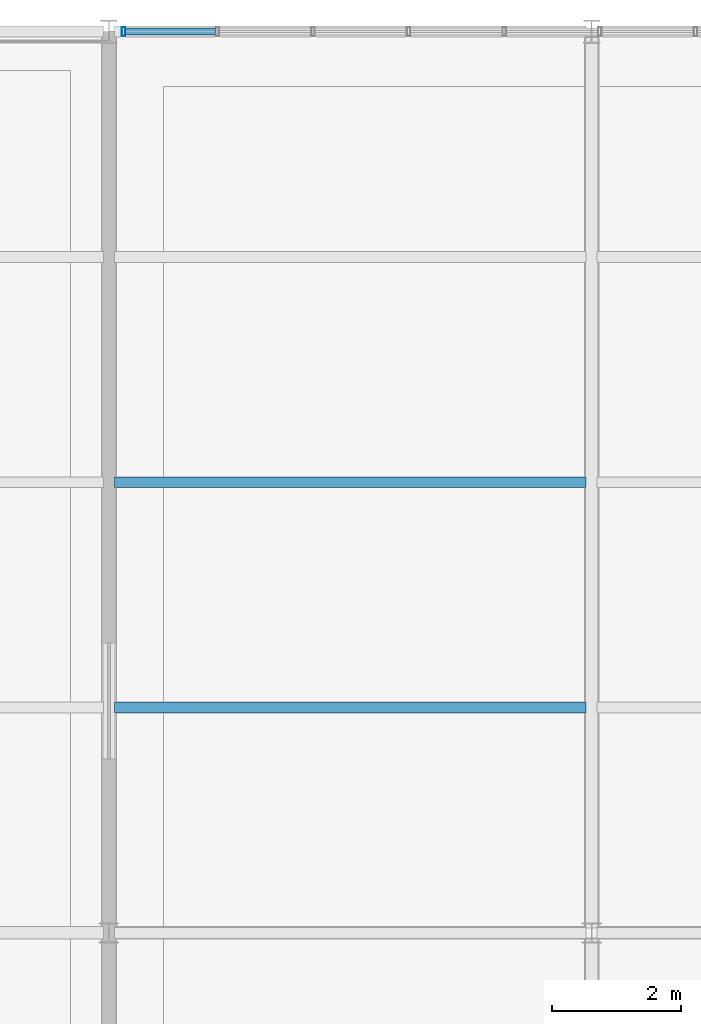
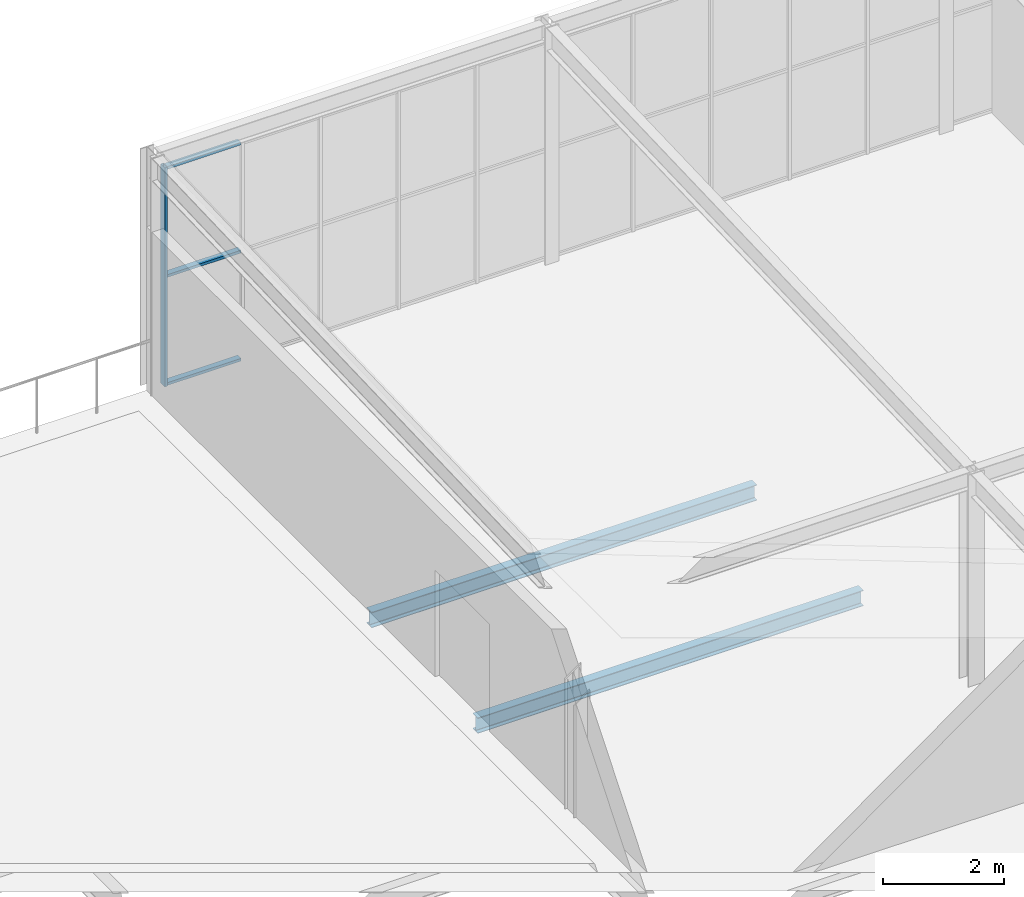
# One storey, part 9 of 27: 4 members, 2 beams, 1 element without a shape of its own.
"""IFC4 building model written with IfcOpenShell, lengths in metres."""

from ifc_helpers import new_model, si_unit, direction, frame, origin, origin_2d, place, context, subcontext, project, spatial, hollow_rectangle, i_section, extrude, material, layer, layer_set, material_profile, profile_set, type_object, element, aggregate, save


model = new_model("IFC4")

# Units and contexts
model_context = context("Model", 3, precision=1e-05, world=origin(), true_north=direction((0.0, 1.0)))
body_context = subcontext(model_context, "Body", "Model", "MODEL_VIEW")
ifc_project = project(units=[si_unit("LENGTHUNIT", "METRE"), si_unit("AREAUNIT", "SQUARE_METRE"), si_unit("VOLUMEUNIT", "CUBIC_METRE"), si_unit("PLANEANGLEUNIT", "RADIAN"), si_unit("MASSUNIT", "GRAM", prefix="KILO")], contexts=[model_context])

# Site, building, storey
site_placement = place(None, origin())
site = spatial("IfcSite", under=ifc_project, at=site_placement, CompositionType="ELEMENT")
building_placement = place(site_placement, origin())
building = spatial("IfcBuilding", under=site, at=building_placement, Name="Solvenia Promenade Tram Depot", CompositionType="ELEMENT")
storey_placement = place(building_placement, frame((0.0, 0.0, 13.5)))
storey = spatial("IfcBuildingStorey", under=building, at=storey_placement, Name="L03", CompositionType="ELEMENT", Elevation=13.5)

# Curtain wall, members
ifc_material_1 = material(Name="Anodized aluminium AW-6063 T6", Category="aluminium")
ifc_layer = layer(ifc_material_1, 0.199951171875, Name="Anodized aluminium AW-6063 T6", Category="aluminium")
ifc_layer_set = layer_set([ifc_layer], Name="Anodized aluminium AW-6063 T6")
curtain_wall_type = type_object("IfcCurtainWallType", Name="CW-OCC-1500", PredefinedType="NOTDEFINED", material=ifc_layer_set)
curtain_wall_placement = place(storey_placement, origin())
curtain_wall = element("IfcCurtainWall", 1, at=curtain_wall_placement, inside=storey, type_object=curtain_wall_type, Name="Curtain Wall CW-L03-V2N", PredefinedType="NOTDEFINED")
ifc_material_profile_1 = material_profile(ifc_material_1, hollow_rectangle(XDim=0.139892578125, YDim=0.054931640625, WallThickness=0.00390625, at=origin_2d()), Name="ALU-M4", Category="aluminium")
ifc_profile_set_1 = profile_set([ifc_material_profile_1], Name="Anodized aluminium AW-6063 T6")
member_type_1 = type_object("IfcMemberType", Name="CWM-Mullion-4", PredefinedType="MULLION", material=ifc_profile_set_1)
member_1_placement = place(storey_placement, frame((120.2275390625, 66.0, 0.0), z_axis=(0.0, 0.0, 1.0), x_axis=(0.0, 1.0, 0.0)))
member_1 = element("IfcMember", 2, at=member_1_placement, type_object=member_type_1, Name="CW-8 mullion 1", PredefinedType="MULLION", context=body_context, shape_type="SweptSolid", body=[
    extrude(hollow_rectangle(XDim=0.139892578125, YDim=0.054931640625, WallThickness=0.00390625, at=origin_2d()), origin(), (0.0, 0.0, 1.0), 4.39990234375),
])
ifc_material_profile_2 = material_profile(ifc_material_1, hollow_rectangle(XDim=0.110107421875, YDim=0.054931640625, WallThickness=0.00390625, at=origin_2d()), Name="ALU-T4", Category="aluminium")
ifc_profile_set_2 = profile_set([ifc_material_profile_2], Name="Anodized aluminium AW-6063 T6")
member_type_2 = type_object("IfcMemberType", Name="CWT-Transom-4", PredefinedType="USERDEFINED", material=ifc_profile_set_2)
member_2_placement = place(storey_placement, frame((120.2548828125, 66.0, 0.027587890625), z_axis=(1.0, 0.0, 0.0), x_axis=(0.0, 1.0, 0.0)))
member_2 = element("IfcMember", 3, at=member_2_placement, type_object=member_type_2, Name="CW-8 transom 1.1", ObjectType="TRANSOM", PredefinedType="USERDEFINED", context=body_context, shape_type="SweptSolid", body=[
    extrude(hollow_rectangle(XDim=0.110107421875, YDim=0.054931640625, WallThickness=0.00390625, at=origin_2d()), origin(), (0.0, 0.0, 1.0), 1.4033203125),
])
member_3_placement = place(storey_placement, frame((120.2548828125, 66.0, 2.199951171875), z_axis=(1.0, 0.0, 0.0), x_axis=(0.0, 1.0, 0.0)))
member_3 = element("IfcMember", 4, at=member_3_placement, type_object=member_type_2, Name="CW-8 transom 1.2", ObjectType="TRANSOM", PredefinedType="USERDEFINED", context=body_context, shape_type="SweptSolid", body=[
    extrude(hollow_rectangle(XDim=0.110107421875, YDim=0.054931640625, WallThickness=0.00390625, at=origin_2d()), origin(), (0.0, 0.0, 1.0), 1.4033203125),
])
member_4_placement = place(storey_placement, frame((120.2548828125, 66.0, 4.37255859375), z_axis=(1.0, 0.0, 0.0), x_axis=(0.0, 1.0, 0.0)))
member_4 = element("IfcMember", 5, at=member_4_placement, type_object=member_type_2, Name="CW-8 transom 1.3", ObjectType="TRANSOM", PredefinedType="USERDEFINED", context=body_context, shape_type="SweptSolid", body=[
    extrude(hollow_rectangle(XDim=0.110107421875, YDim=0.054931640625, WallThickness=0.00390625, at=origin_2d()), origin(), (0.0, 0.0, 1.0), 1.4033203125),
])
aggregate(curtain_wall, [member_1, member_2, member_3, member_4])

# Beams
ifc_material_2 = material(Name="Structural steel ASTM A992 Gr. 50", Category="steel")
ifc_material_profile_3 = material_profile(ifc_material_2, i_section(OverallWidth=0.166015625, OverallDepth=0.31298828125, WebThickness=0.006591796875, FlangeThickness=0.01123046875, FilletRadius=0.010009765625, at=origin_2d()), Name="W310x45", Category="steel")
ifc_profile_set_3 = profile_set([ifc_material_profile_3], Name="Structural steel ASTM A992 Gr. 50")
beam_type = type_object("IfcBeamType", Name="Joist-W310x45", PredefinedType="JOIST", material=ifc_profile_set_3)
for number, where, z_axis, x_axis, name in (
    (6, (120.0849609375, 55.5, -0.396484375), (1.0, 0.0, 0.0), (0.0, 1.0, 0.0), "Secondary Floor Joist BM-L03-0625"),
    (7, (120.0849609375, 59.0, -0.396484375), (1.0, 0.0, 0.0), (0.0, 1.0, 0.0), "Secondary Floor Joist BM-L03-0626"),
):
    element("IfcBeam", number, at=place(storey_placement, frame(where, z_axis=z_axis, x_axis=x_axis)), inside=storey, type_object=beam_type, Name=name, PredefinedType="JOIST", context=body_context, shape_type="SweptSolid", body=[
        extrude(i_section(OverallWidth=0.166015625, OverallDepth=0.31298828125, WebThickness=0.006591796875, FlangeThickness=0.01123046875, FilletRadius=0.010009765625, at=origin_2d()), origin(), (0.0, 0.0, 1.0), 7.330078125),
    ])

save(model, "model.ifc")
